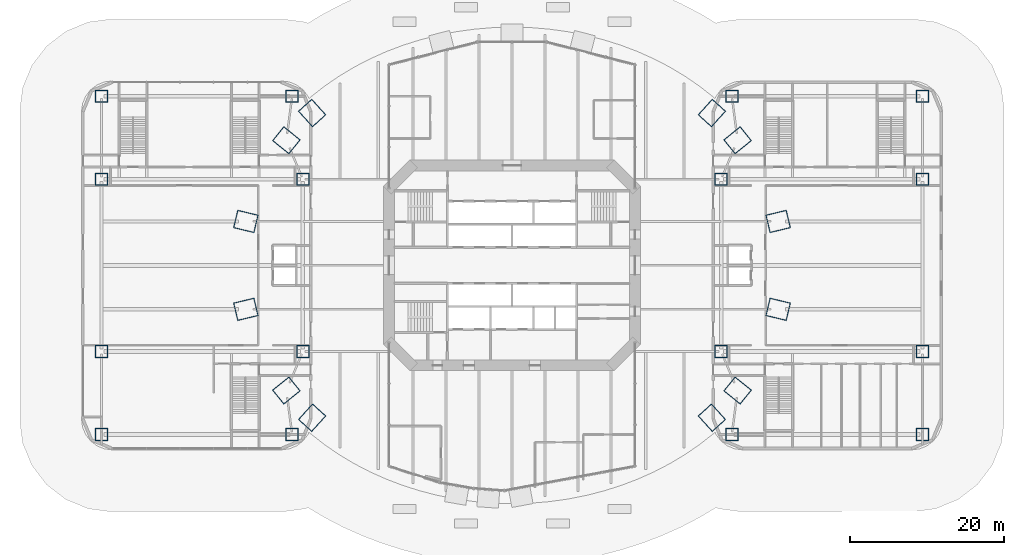
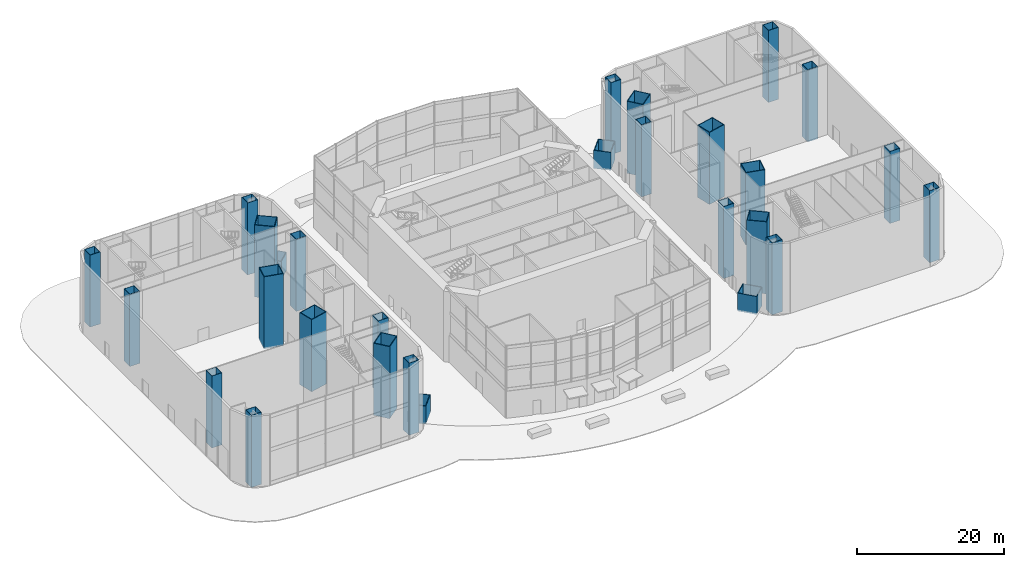
# One storey, part 1 of 23: 28 columns.
"""IFC4 building model written with IfcOpenShell, lengths in metres."""

from ifc_helpers import new_model, si_unit, direction, frame, origin, origin_2d, place, context, subcontext, project, spatial, rectangle, hollow_rectangle, extrude, material, material_profile, profile_set, type_object, element, save


model = new_model("IFC4")

# Units and contexts
model_context = context("Model", 3, precision=1e-05, world=origin(), true_north=direction((0.0, 1.0)))
body_context = subcontext(model_context, "Body", "Model", "MODEL_VIEW")
ifc_project = project(units=[si_unit("LENGTHUNIT", "METRE"), si_unit("AREAUNIT", "SQUARE_METRE"), si_unit("VOLUMEUNIT", "CUBIC_METRE"), si_unit("PLANEANGLEUNIT", "RADIAN"), si_unit("MASSUNIT", "GRAM", prefix="KILO")], contexts=[model_context])

# Site, building, storey
site_placement = place(None, origin())
site = spatial("IfcSite", under=ifc_project, at=site_placement, CompositionType="ELEMENT")
building_placement = place(site_placement, origin())
building = spatial("IfcBuilding", under=site, at=building_placement, Name="Marenthal Gate Tower", CompositionType="ELEMENT")
storey_placement = place(building_placement, origin())
storey = spatial("IfcBuildingStorey", under=building, at=storey_placement, Name="L00", CompositionType="ELEMENT", Elevation=0.0)

# Columns
ifc_material_1 = material(Name="Steel S460", Category="steel")
ifc_material_profile_1 = material_profile(ifc_material_1, hollow_rectangle(XDim=2.39990234375, YDim=2.800048828125, WallThickness=0.10009765625, at=origin_2d()), Name="CFT BOX 2800X2400X100")
ifc_material_2 = material(Name="Concrete 70 MPa", Category="concrete")
ifc_material_profile_2 = material_profile(ifc_material_2, rectangle(XDim=2.199951171875, YDim=2.60009765625, at=origin_2d()), Name="CFT BOX 2800X2400X100 INFILL")
ifc_profile_set_1 = profile_set([ifc_material_profile_1, ifc_material_profile_2], Name="Steel S460 shell, Concrete 70 MPa infill")
column_type_1 = type_object("IfcColumnType", Name="CFT BOX 2800X2400X100", PredefinedType="COLUMN", material=ifc_profile_set_1)
for number, where, z_axis, x_axis, name in (
    (1, (34.62158203125, 5.716064453125, -0.25), (0.0, 0.0, 1.0), (0.2330465244, -0.972465586777, 0.0), "COL-L00-01"),
    (2, (29.350830078125, 16.2783203125, -0.25), (0.0, 0.0, 1.0), (0.627070248118, -0.778962710228, 0.0), "COL-L00-02"),
    (3, (-29.350830078125, 16.2783203125, -0.25), (0.0, 0.0, 1.0), (0.627070248118, 0.778962710228, 0.0), "COL-L00-07"),
    (4, (-34.62158203125, 5.716064453125, -0.25), (0.0, 0.0, 1.0), (0.2330465244, 0.972465586777, 0.0), "COL-L00-08"),
    (5, (-34.62158203125, -5.716064453125, -0.25), (0.0, 0.0, 1.0), (-0.2330465244, 0.972465586777, 0.0), "COL-L00-09"),
    (6, (-29.350830078125, -16.2783203125, -0.25), (0.0, 0.0, 1.0), (-0.627070248118, 0.778962710228, 0.0), "COL-L00-10"),
    (7, (29.350830078125, -16.2783203125, -0.25), (0.0, 0.0, 1.0), (-0.627070248118, -0.778962710228, 0.0), "COL-L00-15"),
    (8, (34.62158203125, -5.716064453125, -0.25), (0.0, 0.0, 1.0), (-0.2330465244, -0.972465586777, 0.0), "COL-L00-16"),
):
    element("IfcColumn", number, at=place(storey_placement, frame(where, z_axis=z_axis, x_axis=x_axis)), inside=storey, type_object=column_type_1, Name=name, PredefinedType="COLUMN", context=body_context, shape_type="SweptSolid", body=[
        extrude(hollow_rectangle(XDim=2.39990234375, YDim=2.800048828125, WallThickness=0.10009765625, at=origin_2d()), origin(), (0.0, 0.0, 1.0), 12.0),
    ])
for number, where, z_axis, x_axis, name in (
    (9, (26.0, 19.818115234375, -0.25), (0.0, 0.0, 1.0), (0.741874032401, -0.670539275546, 0.0), "COL-L00-17"),
    (10, (-26.0, 19.818115234375, -0.25), (0.0, 0.0, 1.0), (0.741874032401, 0.670539275546, 0.0), "COL-L00-18"),
    (11, (26.0, -19.818115234375, -0.25), (0.0, 0.0, 1.0), (-0.741874032401, -0.670539275546, 0.0), "COL-L00-19"),
    (12, (-26.0, -19.818115234375, -0.25), (0.0, 0.0, 1.0), (-0.741874032401, 0.670539275546, 0.0), "COL-L00-20"),
):
    element("IfcColumn", number, at=place(storey_placement, frame(where, z_axis=z_axis, x_axis=x_axis)), inside=storey, type_object=column_type_1, Name=name, PredefinedType="COLUMN", context=body_context, shape_type="SweptSolid", body=[
        extrude(hollow_rectangle(XDim=2.39990234375, YDim=2.800048828125, WallThickness=0.10009765625, at=origin_2d()), origin(), (0.0, 0.0, 1.0), 3.0),
    ])
ifc_material_3 = material(Name="Steel S460", Category="steel")
ifc_material_profile_3 = material_profile(ifc_material_3, hollow_rectangle(XDim=1.60009765625, YDim=1.60009765625, WallThickness=0.06005859375, at=origin_2d()), Name="CFT BOX 1600X1600X60")
ifc_material_4 = material(Name="Concrete 70 MPa", Category="concrete")
ifc_material_profile_4 = material_profile(ifc_material_4, rectangle(XDim=1.47998046875, YDim=1.47998046875, at=origin_2d()), Name="CFT BOX 1600X1600X60 INFILL")
ifc_profile_set_2 = profile_set([ifc_material_profile_3, ifc_material_profile_4], Name="Steel S460 shell, Concrete 70 MPa infill")
column_type_2 = type_object("IfcColumnType", Name="PODIUM COLUMN 1600X1600X60", PredefinedType="COLUMN", material=ifc_profile_set_2)
for number, where, z_axis, x_axis, name in (
    (13, (53.39990234375, -22.0, -0.25), (0.0, 0.0, 1.0), (1.0, 0.0, 0.0), "COL-L00-31"),
    (14, (28.60009765625, -22.0, -0.25), (0.0, 0.0, 1.0), (1.0, 0.0, 0.0), "COL-L00-32"),
    (15, (53.39990234375, -11.199951171875, -0.25), (0.0, 0.0, 1.0), (1.0, 0.0, 0.0), "COL-L00-33"),
    (16, (27.199951171875, -11.199951171875, -0.25), (0.0, 0.0, 1.0), (1.0, 0.0, 0.0), "COL-L00-34"),
    (17, (53.39990234375, 11.199951171875, -0.25), (0.0, 0.0, 1.0), (1.0, 0.0, 0.0), "COL-L00-35"),
    (18, (27.199951171875, 11.199951171875, -0.25), (0.0, 0.0, 1.0), (1.0, 0.0, 0.0), "COL-L00-36"),
    (19, (53.39990234375, 22.0, -0.25), (0.0, 0.0, 1.0), (1.0, 0.0, 0.0), "COL-L00-37"),
    (20, (28.60009765625, 22.0, -0.25), (0.0, 0.0, 1.0), (1.0, 0.0, 0.0), "COL-L00-38"),
    (21, (-53.39990234375, -22.0, -0.25), (0.0, 0.0, 1.0), (1.0, 0.0, 0.0), "COL-L00-39"),
    (22, (-28.60009765625, -22.0, -0.25), (0.0, 0.0, 1.0), (1.0, 0.0, 0.0), "COL-L00-40"),
    (23, (-53.39990234375, -11.199951171875, -0.25), (0.0, 0.0, 1.0), (1.0, 0.0, 0.0), "COL-L00-41"),
    (24, (-27.199951171875, -11.199951171875, -0.25), (0.0, 0.0, 1.0), (1.0, 0.0, 0.0), "COL-L00-42"),
    (25, (-53.39990234375, 11.199951171875, -0.25), (0.0, 0.0, 1.0), (1.0, 0.0, 0.0), "COL-L00-43"),
    (26, (-27.199951171875, 11.199951171875, -0.25), (0.0, 0.0, 1.0), (1.0, 0.0, 0.0), "COL-L00-44"),
    (27, (-53.39990234375, 22.0, -0.25), (0.0, 0.0, 1.0), (1.0, 0.0, 0.0), "COL-L00-45"),
    (28, (-28.60009765625, 22.0, -0.25), (0.0, 0.0, 1.0), (1.0, 0.0, 0.0), "COL-L00-46"),
):
    element("IfcColumn", number, at=place(storey_placement, frame(where, z_axis=z_axis, x_axis=x_axis)), inside=storey, type_object=column_type_2, Name=name, PredefinedType="COLUMN", context=body_context, shape_type="SweptSolid", body=[
        extrude(hollow_rectangle(XDim=1.60009765625, YDim=1.60009765625, WallThickness=0.06005859375, at=origin_2d()), origin(), (0.0, 0.0, 1.0), 12.0),
    ])

save(model, "model.ifc")
